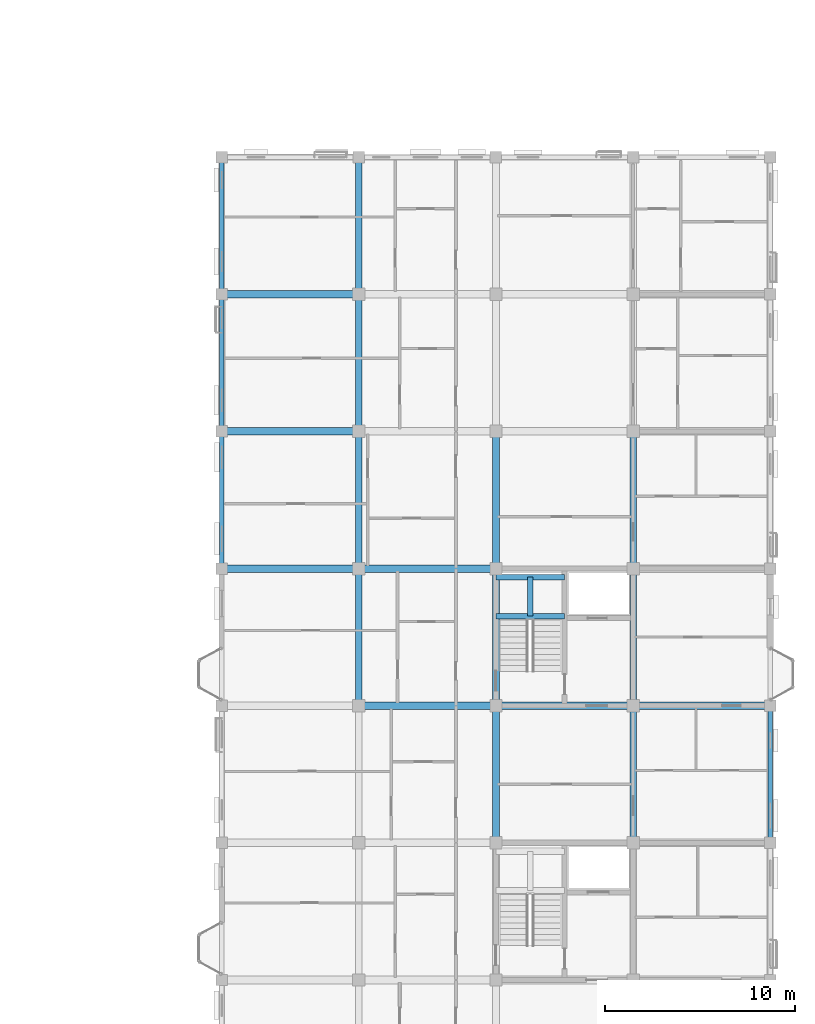
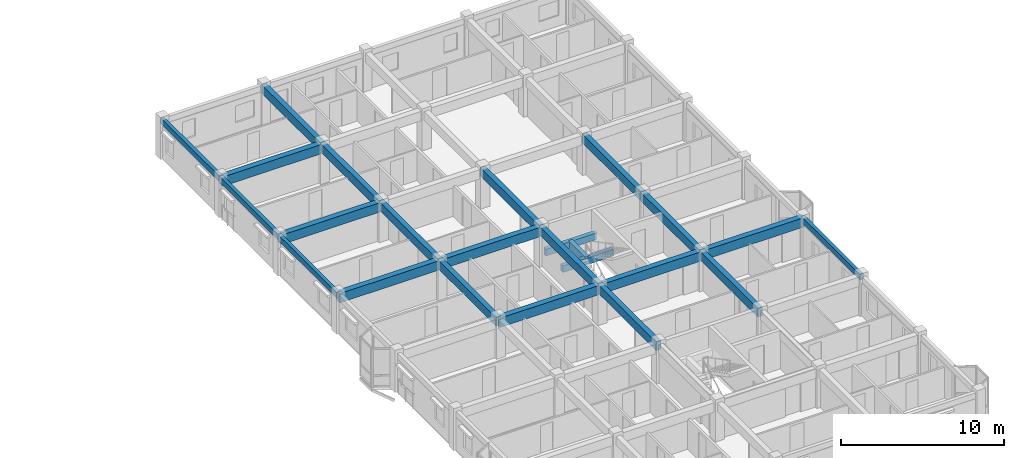
# One storey, part 54 of 124: 24 beams.
"""IFC4 building model written with IfcOpenShell, lengths in metres."""

from ifc_helpers import new_model, si_unit, direction, frame, origin, origin_2d, place, context, subcontext, project, spatial, rectangle, extrude, material, material_profile, profile_set, type_object, element, save


model = new_model("IFC4")

# Units and contexts
model_context = context("Model", 3, precision=1e-05, world=origin(), true_north=direction((0.0, 1.0)))
body_context = subcontext(model_context, "Body", "Model", "MODEL_VIEW")
ifc_project = project(units=[si_unit("LENGTHUNIT", "METRE"), si_unit("AREAUNIT", "SQUARE_METRE"), si_unit("VOLUMEUNIT", "CUBIC_METRE"), si_unit("PLANEANGLEUNIT", "RADIAN"), si_unit("MASSUNIT", "GRAM", prefix="KILO"), si_unit("THERMODYNAMICTEMPERATUREUNIT", "KELVIN"), si_unit("POWERUNIT", "WATT")], contexts=[model_context])

# Site, building, storey
site_placement = place(None, origin())
site = spatial("IfcSite", under=ifc_project, at=site_placement, CompositionType="ELEMENT")
building_placement = place(site_placement, origin())
building = spatial("IfcBuilding", under=site, at=building_placement, Name="Tavuni Mirador Residences", CompositionType="ELEMENT")
storey_placement = place(building_placement, frame((0.0, 0.0, 7.64990234375)))
storey = spatial("IfcBuildingStorey", under=building, at=storey_placement, Name="L02", CompositionType="ELEMENT", Elevation=7.64990234375)

# Beams
ifc_material = material(Name="Precast concrete C40/50", Category="concrete")
ifc_material_profile_1 = material_profile(ifc_material, rectangle(XDim=0.300048828125, YDim=0.5, at=origin_2d()), Name="PC 300x500", Category="concrete")
ifc_profile_set_1 = profile_set([ifc_material_profile_1], Name="Precast concrete C40/50")
beam_type_1 = type_object("IfcBeamType", Name="BT-B500", PredefinedType="BEAM", material=ifc_profile_set_1)
for number, where, z_axis, x_axis, name in (
    (1, (104.39990234375, 112.699951171875, 1.14501953125), (1.0, 0.0, 0.0), (0.0, 1.0, 0.0), "HLB1-C8-L02"),
    (2, (104.39990234375, 114.75, 1.14501953125), (1.0, 0.0, 0.0), (0.0, 1.0, 0.0), "HLB2-C8-L02"),
):
    element("IfcBeam", number, at=place(storey_placement, frame(where, z_axis=z_axis, x_axis=x_axis)), inside=storey, type_object=beam_type_1, Name=name, PredefinedType="BEAM", context=body_context, shape_type="SweptSolid", body=[
        extrude(rectangle(XDim=0.300048828125, YDim=0.5, at=origin_2d()), origin(), (0.0, 0.0, 1.0), 3.60009765625),
    ])
beam_1_placement = place(storey_placement, frame((106.199951171875, 112.699951171875, 1.14501953125), z_axis=(0.0, 1.0, 0.0), x_axis=(-1.0, 0.0, 0.0)))
element("IfcBeam", 3, at=beam_1_placement, inside=storey, type_object=beam_type_1, Name="HLB3-C8-L02", PredefinedType="BEAM", context=body_context, shape_type="SweptSolid", body=[
    extrude(rectangle(XDim=0.300048828125, YDim=0.5, at=origin_2d()), origin(), (0.0, 0.0, 1.0), 2.050048828125),
])
ifc_material_profile_2 = material_profile(ifc_material, rectangle(XDim=0.35009765625, YDim=0.64990234375, at=origin_2d()), Name="PC 350x650", Category="concrete")
ifc_profile_set_2 = profile_set([ifc_material_profile_2], Name="Precast concrete C40/50")
beam_type_2 = type_object("IfcBeamType", Name="BT-B650", PredefinedType="BEAM", material=ifc_profile_set_2)
for number, where, z_axis, x_axis, name in (
    (4, (97.199951171875, 108.0, 2.565185546875), (0.0, 1.0, 0.0), (-1.0, 0.0, 0.0), "BMY-BLK-D-L02-01-03"),
    (5, (97.199951171875, 115.199951171875, 2.565185546875), (0.0, 1.0, 0.0), (-1.0, 0.0, 0.0), "BMY-BLK-D-L02-01-04"),
):
    element("IfcBeam", number, at=place(storey_placement, frame(where, z_axis=z_axis, x_axis=x_axis)), inside=storey, type_object=beam_type_2, Name=name, PredefinedType="BEAM", context=body_context, shape_type="SweptSolid", body=[
        extrude(rectangle(XDim=0.35009765625, YDim=0.64990234375, at=origin_2d()), origin(), (0.0, 0.0, 1.0), 7.199951171875),
    ])
beam_2_placement = place(storey_placement, frame((97.199951171875, 122.39990234375, 2.565185546875), z_axis=(0.0, 1.0, 0.0), x_axis=(-1.0, 0.0, 0.0)))
element("IfcBeam", 6, at=beam_2_placement, inside=storey, type_object=beam_type_2, Name="BMY-BLK-D-L02-01-05", PredefinedType="BEAM", context=body_context, shape_type="SweptSolid", body=[
    extrude(rectangle(XDim=0.35009765625, YDim=0.64990234375, at=origin_2d()), origin(), (0.0, 0.0, 1.0), 7.2001953125),
])
for number, where, z_axis, x_axis, name in (
    (7, (97.199951171875, 129.60009765625, 2.565185546875), (0.0, 1.0, 0.0), (-1.0, 0.0, 0.0), "BMY-BLK-D-L02-01-06"),
    (8, (104.39990234375, 100.800048828125, 2.565185546875), (0.0, 1.0, 0.0), (-1.0, 0.0, 0.0), "BMY-BLK-D-L02-02-02"),
    (9, (104.39990234375, 108.0, 2.565185546875), (0.0, 1.0, 0.0), (-1.0, 0.0, 0.0), "BMY-BLK-D-L02-02-03"),
    (10, (104.39990234375, 115.199951171875, 2.565185546875), (0.0, 1.0, 0.0), (-1.0, 0.0, 0.0), "BMY-BLK-D-L02-02-04"),
    (11, (111.60009765625, 100.800048828125, 2.565185546875), (0.0, 1.0, 0.0), (-1.0, 0.0, 0.0), "BMY-BLK-D-L02-03-02"),
    (12, (111.60009765625, 108.0, 2.565185546875), (0.0, 1.0, 0.0), (-1.0, 0.0, 0.0), "BMY-BLK-D-L02-03-03"),
    (13, (111.60009765625, 115.199951171875, 2.565185546875), (0.0, 1.0, 0.0), (-1.0, 0.0, 0.0), "BMY-BLK-D-L02-03-04"),
):
    element("IfcBeam", number, at=place(storey_placement, frame(where, z_axis=z_axis, x_axis=x_axis)), inside=storey, type_object=beam_type_2, Name=name, PredefinedType="BEAM", context=body_context, shape_type="SweptSolid", body=[
        extrude(rectangle(XDim=0.35009765625, YDim=0.64990234375, at=origin_2d()), origin(), (0.0, 0.0, 1.0), 7.199951171875),
    ])
ifc_material_profile_3 = material_profile(ifc_material, rectangle(XDim=0.39990234375, YDim=0.699951171875, at=origin_2d()), Name="PC 400x700", Category="concrete")
ifc_profile_set_3 = profile_set([ifc_material_profile_3], Name="Precast concrete C40/50")
beam_type_3 = type_object("IfcBeamType", Name="BT-B700", PredefinedType="BEAM", material=ifc_profile_set_3)
beam_3_placement = place(storey_placement, frame((97.199951171875, 108.0, 2.5400390625), z_axis=(1.0, 0.0, 0.0), x_axis=(0.0, 1.0, 0.0)))
element("IfcBeam", 14, at=beam_3_placement, inside=storey, type_object=beam_type_3, Name="BMX-BLK-D-L02-01-03", PredefinedType="BEAM", context=body_context, shape_type="SweptSolid", body=[
    extrude(rectangle(XDim=0.39990234375, YDim=0.699951171875, at=origin_2d()), origin(), (0.0, 0.0, 1.0), 7.199951171875),
])
beam_4_placement = place(storey_placement, frame((104.39990234375, 108.0, 2.5400390625), z_axis=(1.0, 0.0, 0.0), x_axis=(0.0, 1.0, 0.0)))
element("IfcBeam", 15, at=beam_4_placement, inside=storey, type_object=beam_type_3, Name="BMX-BLK-D-L02-02-03", PredefinedType="BEAM", context=body_context, shape_type="SweptSolid", body=[
    extrude(rectangle(XDim=0.39990234375, YDim=0.699951171875, at=origin_2d()), origin(), (0.0, 0.0, 1.0), 7.2001953125),
])
for number, where, z_axis, x_axis, name in (
    (16, (111.60009765625, 108.0, 2.5400390625), (1.0, 0.0, 0.0), (0.0, 1.0, 0.0), "BMX-BLK-D-L02-03-03"),
    (17, (90.0, 115.199951171875, 2.5400390625), (1.0, 0.0, 0.0), (0.0, 1.0, 0.0), "BMX-BLK-D-L02-00-04"),
    (18, (97.199951171875, 115.199951171875, 2.5400390625), (1.0, 0.0, 0.0), (0.0, 1.0, 0.0), "BMX-BLK-D-L02-01-04"),
    (19, (90.0, 122.39990234375, 2.5400390625), (1.0, 0.0, 0.0), (0.0, 1.0, 0.0), "BMX-BLK-D-L02-00-05"),
    (20, (90.0, 129.60009765625, 2.5400390625), (1.0, 0.0, 0.0), (0.0, 1.0, 0.0), "BMX-BLK-D-L02-00-06"),
):
    element("IfcBeam", number, at=place(storey_placement, frame(where, z_axis=z_axis, x_axis=x_axis)), inside=storey, type_object=beam_type_3, Name=name, PredefinedType="BEAM", context=body_context, shape_type="SweptSolid", body=[
        extrude(rectangle(XDim=0.39990234375, YDim=0.699951171875, at=origin_2d()), origin(), (0.0, 0.0, 1.0), 7.199951171875),
    ])
ifc_material_profile_4 = material_profile(ifc_material, rectangle(XDim=0.25, YDim=0.419921875, at=origin_2d()), Name="PC 250x420", Category="concrete")
ifc_profile_set_4 = profile_set([ifc_material_profile_4], Name="Precast concrete C40/50")
beam_type_4 = type_object("IfcBeamType", Name="BT-SP420", PredefinedType="SPANDREL", material=ifc_profile_set_4)
beam_5_placement = place(storey_placement, frame((90.0, 115.199951171875, 2.68017578125), z_axis=(0.0, 1.0, 0.0), x_axis=(-1.0, 0.0, 0.0)))
element("IfcBeam", 21, at=beam_5_placement, inside=storey, type_object=beam_type_4, Name="BMY-BLK-D-L02-00-04", PredefinedType="SPANDREL", context=body_context, shape_type="SweptSolid", body=[
    extrude(rectangle(XDim=0.25, YDim=0.419921875, at=origin_2d()), origin(), (0.0, 0.0, 1.0), 7.199951171875),
])
beam_6_placement = place(storey_placement, frame((90.0, 122.39990234375, 2.68017578125), z_axis=(0.0, 1.0, 0.0), x_axis=(-1.0, 0.0, 0.0)))
element("IfcBeam", 22, at=beam_6_placement, inside=storey, type_object=beam_type_4, Name="BMY-BLK-D-L02-00-05", PredefinedType="SPANDREL", context=body_context, shape_type="SweptSolid", body=[
    extrude(rectangle(XDim=0.25, YDim=0.419921875, at=origin_2d()), origin(), (0.0, 0.0, 1.0), 7.2001953125),
])
for number, where, z_axis, x_axis, name in (
    (23, (90.0, 129.60009765625, 2.68017578125), (0.0, 1.0, 0.0), (-1.0, 0.0, 0.0), "BMY-BLK-D-L02-00-06"),
    (24, (118.800048828125, 100.800048828125, 2.68017578125), (0.0, 1.0, 0.0), (-1.0, 0.0, 0.0), "BMY-BLK-D-L02-04-02"),
):
    element("IfcBeam", number, at=place(storey_placement, frame(where, z_axis=z_axis, x_axis=x_axis)), inside=storey, type_object=beam_type_4, Name=name, PredefinedType="SPANDREL", context=body_context, shape_type="SweptSolid", body=[
        extrude(rectangle(XDim=0.25, YDim=0.419921875, at=origin_2d()), origin(), (0.0, 0.0, 1.0), 7.199951171875),
    ])

save(model, "model.ifc")
